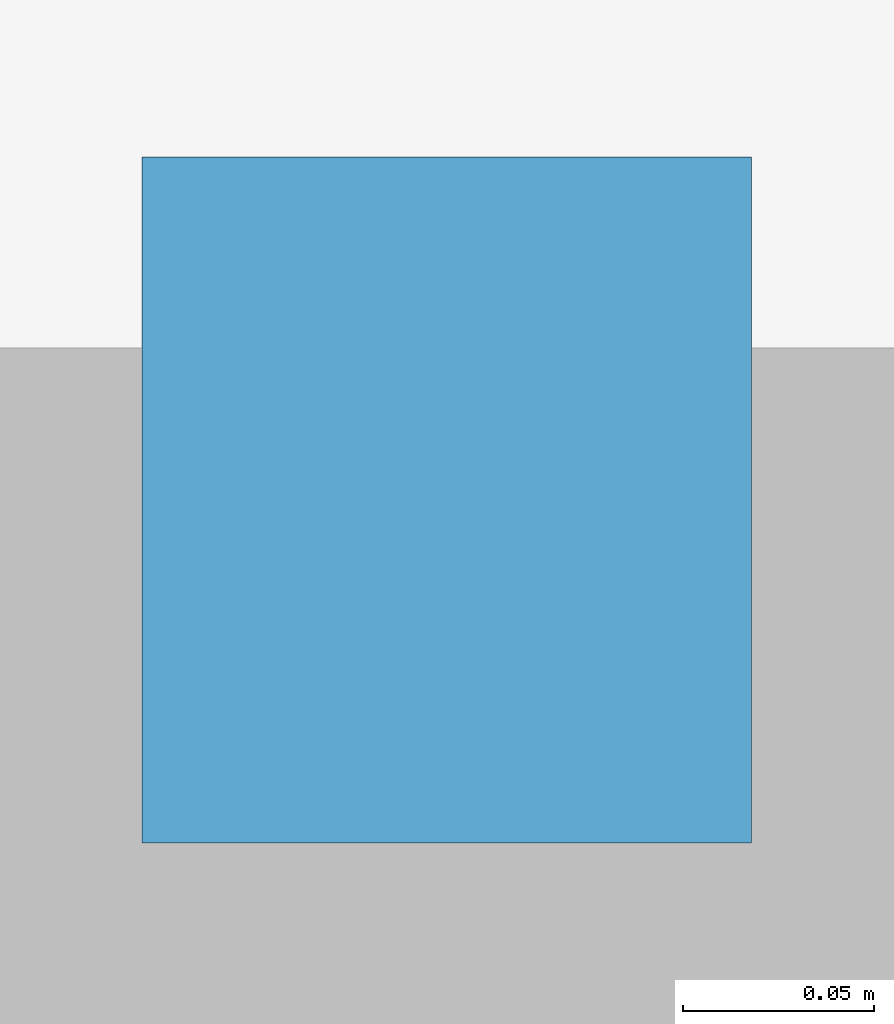
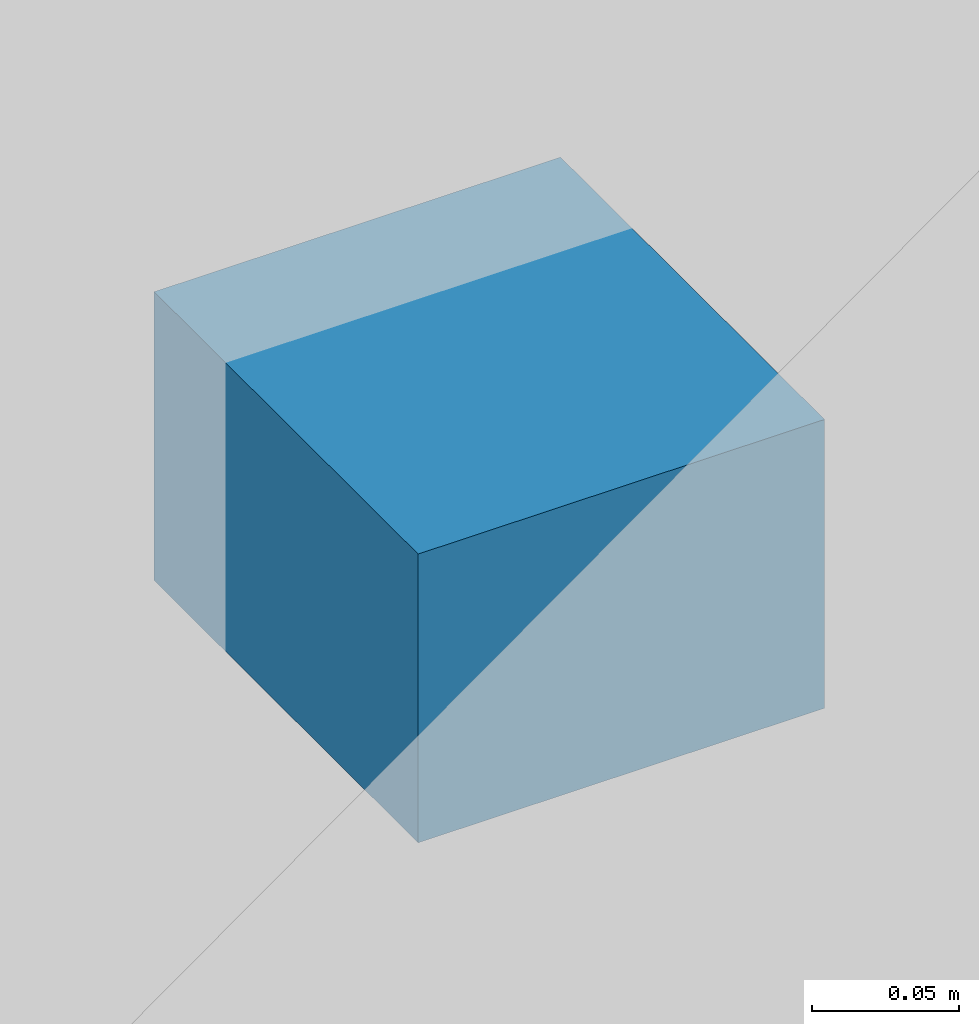
# One storey, part 34 of 40: 1 discrete accessory.
"""IFC4 building model written with IfcOpenShell, lengths in metres."""

from ifc_helpers import new_model, si_unit, direction, frame, origin, origin_2d, place, context, subcontext, project, spatial, rectangle, extrude, material, type_object, element, save


model = new_model("IFC4")

# Units and contexts
model_context = context("Model", 3, precision=1e-05, world=origin(), true_north=direction((0.0, 1.0)))
body_context = subcontext(model_context, "Body", "Model", "MODEL_VIEW")
ifc_project = project(units=[si_unit("LENGTHUNIT", "METRE"), si_unit("AREAUNIT", "SQUARE_METRE"), si_unit("VOLUMEUNIT", "CUBIC_METRE"), si_unit("PLANEANGLEUNIT", "RADIAN"), si_unit("MASSUNIT", "GRAM", prefix="KILO")], contexts=[model_context])

# Site, building, storey
site_placement = place(None, origin())
site = spatial("IfcSite", under=ifc_project, at=site_placement, CompositionType="ELEMENT")
building_placement = place(site_placement, origin())
building = spatial("IfcBuilding", under=site, at=building_placement, Name="Kazevale Care Tower and Concert Hall", CompositionType="ELEMENT")
storey_placement = place(building_placement, frame((0.0, 0.0, 9.60009765625)))
storey = spatial("IfcBuildingStorey", under=building, at=storey_placement, Name="L02", CompositionType="ELEMENT", Elevation=9.60009765625)

# Discrete accessory
ifc_material = material(Name="Stainless Steel 316", Category="steel")
discrete_accessory_type = type_object("IfcDiscreteAccessoryType", Name="Hoistway Guide-Rail Wall Bracket HBRK-1", PredefinedType="BRACKET", material=ifc_material)
discrete_accessory_placement = place(storey_placement, frame((99.300048828125, 48.820068359375, 1.23974609375), z_axis=(0.0, 0.0, 1.0), x_axis=(1.0, 0.0, 0.0)))
element("IfcDiscreteAccessory", 1, at=discrete_accessory_placement, inside=storey, type_object=discrete_accessory_type, Name="hbrk:CHL-1:L02", PredefinedType="BRACKET", context=body_context, shape_type="SweptSolid", body=[
    extrude(rectangle(XDim=0.159912109375, YDim=0.179931640625, at=origin_2d()), origin(), (0.0, 0.0, 1.0), 0.1201171875),
])

save(model, "model.ifc")
